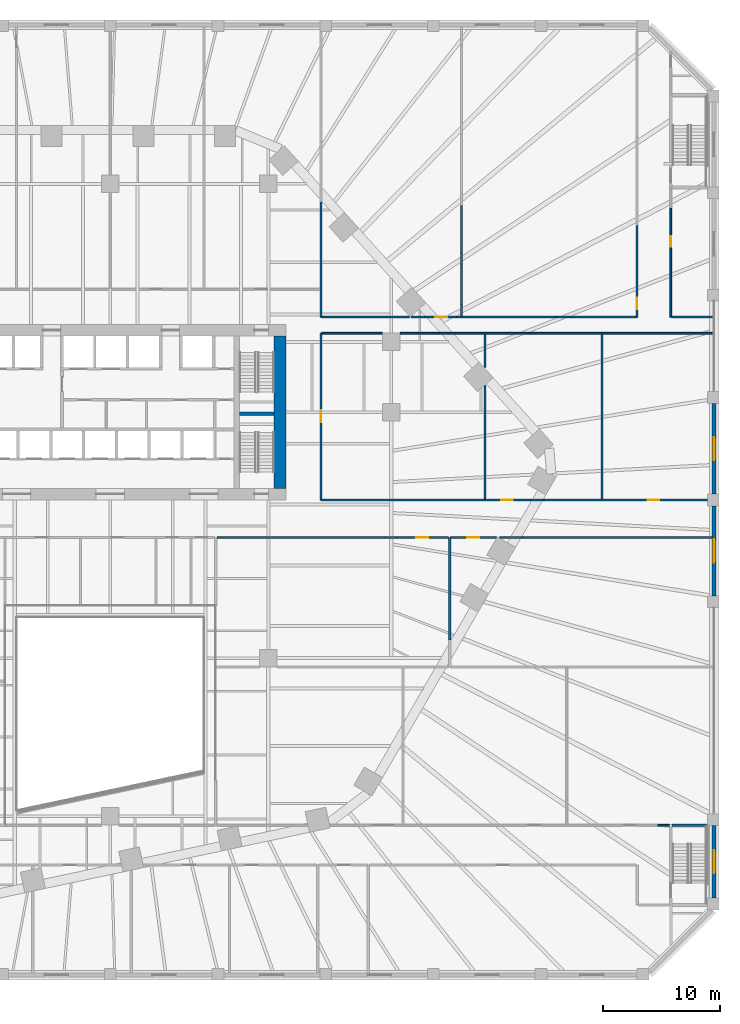
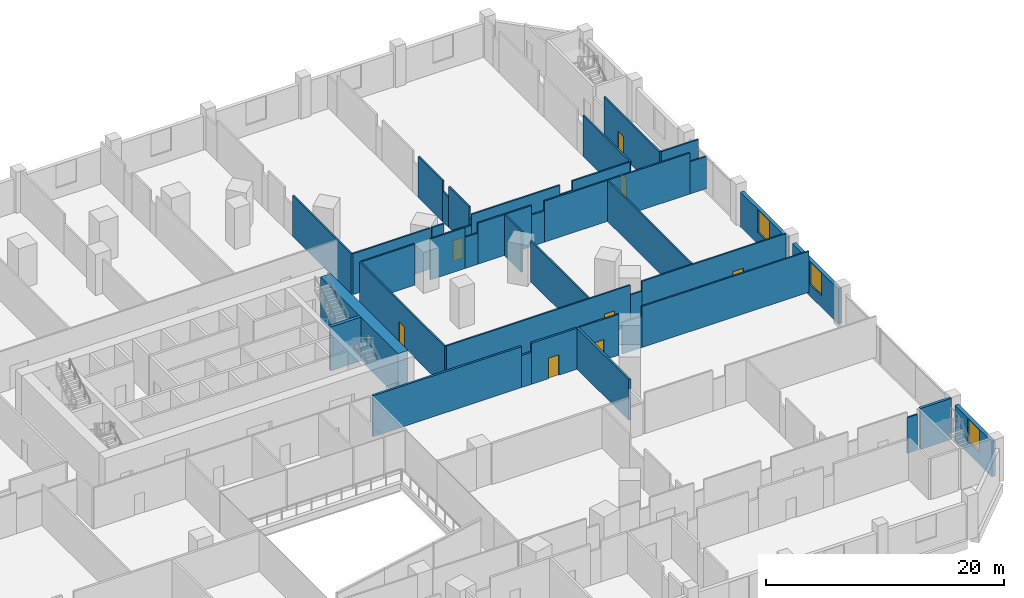
# One storey, part 20 of 29: 42 walls, 8 doors, 3 windows, 11 openings.
"""IFC4 building model written with IfcOpenShell, lengths in metres."""

from ifc_helpers import new_model, si_unit, direction, frame, frame_2d, origin, place, context, subcontext, project, spatial, rectangle, extrude, material, layer, layer_set, type_object, element, fill, save


model = new_model("IFC4")

# Units and contexts
model_context = context("Model", 3, precision=1e-05, world=origin(), true_north=direction((0.0, 1.0)))
body_context = subcontext(model_context, "Body", "Model", "MODEL_VIEW")
ifc_project = project(units=[si_unit("LENGTHUNIT", "METRE"), si_unit("AREAUNIT", "SQUARE_METRE"), si_unit("VOLUMEUNIT", "CUBIC_METRE"), si_unit("PLANEANGLEUNIT", "RADIAN"), si_unit("MASSUNIT", "GRAM", prefix="KILO")], contexts=[model_context])

# Site, building, storey
site_placement = place(None, origin())
site = spatial("IfcSite", under=ifc_project, at=site_placement, CompositionType="ELEMENT")
building_placement = place(site_placement, origin())
building = spatial("IfcBuilding", under=site, at=building_placement, Name="Isthmus Gate Tower", CompositionType="ELEMENT")
storey_placement = place(building_placement, frame((0.0, 0.0, 27.0)))
storey = spatial("IfcBuildingStorey", under=building, at=storey_placement, Name="L04", CompositionType="ELEMENT", Elevation=27.0)

# Walls
ifc_material_1 = material(Name="Concrete f'c 30 MPa", Category="concrete")
ifc_layer_1 = layer(ifc_material_1, 0.199951171875)
ifc_layer_set_1 = layer_set([ifc_layer_1], Name="Fire-rated block wall 200")
wall_type_1 = type_object("IfcWallType", Name="Fire-rated block wall 200", PredefinedType="PARTITIONING", material=ifc_layer_set_1)
wall_1_placement = place(storey_placement, frame((9.10009765625, -3.199951171875, 0.0), z_axis=(0.0, 0.0, 1.0), x_axis=(1.0, 0.0, 0.0)))
element("IfcWall", 1, at=wall_1_placement, inside=storey, type_object=wall_type_1, Name="Fire-rated wall", PredefinedType="PARTITIONING", context=body_context, shape_type="SweptSolid", body=[
    extrude(rectangle(XDim=14.39990234375, YDim=0.199951171875, at=frame_2d((7.199951171875, 0.0))), origin(), (0.0, 0.0, 1.0), 4.199951171875),
])
wall_2_placement = place(storey_placement, frame((23.5, -3.199951171875, 0.0), z_axis=(0.0, 0.0, 1.0), x_axis=(1.0, 0.0, 0.0)))
element("IfcWall", 2, at=wall_2_placement, inside=storey, type_object=wall_type_1, Name="Fire-rated wall", PredefinedType="PARTITIONING", context=body_context, shape_type="SweptSolid", body=[
    extrude(rectangle(XDim=1.0, YDim=0.199951171875, at=frame_2d((0.5, 0.0))), origin(), (0.0, 0.0, 1.0), 3.28564453125),
])

# Wall, opening, door
wall_3_placement = place(storey_placement, frame((24.5, -3.199951171875, 0.0), z_axis=(0.0, 0.0, 1.0), x_axis=(1.0, 0.0, 0.0)))
wall_3 = element("IfcWall", 3, at=wall_3_placement, inside=storey, type_object=wall_type_1, Name="Fire-rated wall", PredefinedType="PARTITIONING", context=body_context, shape_type="SweptSolid", body=[
    extrude(rectangle(XDim=4.39990234375, YDim=0.199951171875, at=frame_2d((2.199951171875, 0.0))), origin(), (0.0, 0.0, 1.0), 4.199951171875),
])
opening_1_placement = place(wall_3_placement, frame((1.64990234375, 0.0, 0.0)))
opening_1 = element("IfcOpeningElement", 4, at=opening_1_placement, cuts=wall_3, Name="Opening DP04-22", PredefinedType="OPENING", context=body_context, shape_type="SweptSolid", body=[
    extrude(rectangle(XDim=1.0, YDim=2.10009765625, at=frame_2d((0.5, 1.050048828125))), frame((0.0, 0.10986328125, 0.0), z_axis=(0.0, -1.0, 0.0), x_axis=(1.0, 0.0, 0.0)), (0.0, 0.0, 1.0), 0.219970703125),
])
ifc_material_2 = material(Name="Steel fire door with intumescent seals", Category="steel")
door_type_1 = type_object("IfcDoorType", Name="Fire door 1000 x 2100", OperationType="SINGLE_SWING_LEFT", PredefinedType="DOOR", material=ifc_material_2)
door_1_placement = place(opening_1_placement, origin())
door_1 = element("IfcDoor", 5, at=door_1_placement, inside=storey, type_object=door_type_1, Name="Door DP04-22", OperationType="SINGLE_SWING_LEFT", OverallHeight=2.10009765625, OverallWidth=1.0, PredefinedType="DOOR", context=body_context, shape_type="SweptSolid", body=[
    extrude(rectangle(XDim=1.0, YDim=2.10009765625, at=frame_2d((0.5, 1.050048828125))), frame((0.0, 0.02490234375, 0.0), z_axis=(0.0, -1.0, 0.0), x_axis=(1.0, 0.0, 0.0)), (0.0, 0.0, 1.0), 0.050048828125),
])
fill(opening_1, door_1)

# Wall
wall_4_placement = place(storey_placement, frame((29.0, -11.970458984375, 0.0), z_axis=(0.0, 0.0, 1.0), x_axis=(0.0, 1.0, 0.0)))
element("IfcWall", 6, at=wall_4_placement, inside=storey, type_object=wall_type_1, Name="Fire-rated wall", PredefinedType="PARTITIONING", context=body_context, shape_type="SweptSolid", body=[
    extrude(rectangle(XDim=8.7705078125, YDim=0.199951171875, at=frame_2d((4.38525390625, 0.0))), origin(), (0.0, 0.0, 1.0), 4.199951171875),
])

# Wall, opening, door
ifc_material_3 = material(Name="Fire-rated gypsum board on steel studs", Category="steel")
ifc_layer_2 = layer(ifc_material_3, 0.14990234375)
ifc_layer_set_2 = layer_set([ifc_layer_2], Name="Fire-rated partition 150 EI 60")
wall_type_2 = type_object("IfcWallType", Name="Fire-rated partition 150 EI 60", PredefinedType="PARTITIONING", material=ifc_layer_set_2)
wall_5_placement = place(storey_placement, frame((45.0, 15.62939453125, 0.0), z_axis=(0.0, 0.0, 1.0), x_axis=(0.0, 1.0, 0.0)))
wall_5 = element("IfcWall", 7, at=wall_5_placement, inside=storey, type_object=wall_type_2, Name="Fire-rated partition", PredefinedType="PARTITIONING", context=body_context, shape_type="SweptSolid", body=[
    extrude(rectangle(XDim=7.828857421875, YDim=0.14990234375, at=frame_2d((3.91455078125, 0.0))), origin(), (0.0, 0.0, 1.0), 4.199951171875),
])
opening_2_placement = place(wall_5_placement, frame((0.64990234375, 0.0, 0.0)))
opening_2 = element("IfcOpeningElement", 8, at=opening_2_placement, cuts=wall_5, Name="Opening DP04-36", PredefinedType="OPENING", context=body_context, shape_type="SweptSolid", body=[
    extrude(rectangle(XDim=1.0, YDim=2.10009765625, at=frame_2d((0.5, 1.050048828125))), frame((0.0, 0.0849609375, 0.0), z_axis=(0.0, -1.0, 0.0), x_axis=(1.0, 0.0, 0.0)), (0.0, 0.0, 1.0), 0.169921875),
])
door_2_placement = place(opening_2_placement, origin())
door_2 = element("IfcDoor", 9, at=door_2_placement, inside=storey, type_object=door_type_1, Name="Door DP04-36", OperationType="SINGLE_SWING_LEFT", OverallHeight=2.10009765625, OverallWidth=1.0, PredefinedType="DOOR", context=body_context, shape_type="SweptSolid", body=[
    extrude(rectangle(XDim=1.0, YDim=2.10009765625, at=frame_2d((0.5, 1.050048828125))), frame((0.0, 0.02490234375, 0.0), z_axis=(0.0, -1.0, 0.0), x_axis=(1.0, 0.0, 0.0)), (0.0, 0.0, 1.0), 0.050048828125),
])
fill(opening_2, door_2)

wall_6_placement = place(storey_placement, frame((47.875, 15.62939453125, 0.0), z_axis=(0.0, 0.0, 1.0), x_axis=(0.0, 1.0, 0.0)))
wall_6 = element("IfcWall", 10, at=wall_6_placement, inside=storey, type_object=wall_type_2, Name="Fire-rated partition", PredefinedType="PARTITIONING", context=body_context, shape_type="SweptSolid", body=[
    extrude(rectangle(XDim=9.32275390625, YDim=0.14990234375, at=frame_2d((4.661376953125, 0.0))), origin(), (0.0, 0.0, 1.0), 4.199951171875),
])
opening_3_placement = place(wall_6_placement, frame((6.020751953125, 0.0, 0.0)))
opening_3 = element("IfcOpeningElement", 11, at=opening_3_placement, cuts=wall_6, Name="Opening DP04-05", PredefinedType="OPENING", context=body_context, shape_type="SweptSolid", body=[
    extrude(rectangle(XDim=0.89990234375, YDim=2.10009765625, at=frame_2d((0.449951171875, 1.050048828125))), frame((0.0, 0.0849609375, 0.0), z_axis=(0.0, -1.0, 0.0), x_axis=(1.0, 0.0, 0.0)), (0.0, 0.0, 1.0), 0.169921875),
])
ifc_material_4 = material(Name="Steel fire door with intumescent seals", Category="steel")
door_type_2 = type_object("IfcDoorType", Name="Fire door 900 x 2100", OperationType="SINGLE_SWING_LEFT", PredefinedType="DOOR", material=ifc_material_4)
door_3_placement = place(opening_3_placement, origin())
door_3 = element("IfcDoor", 12, at=door_3_placement, inside=storey, type_object=door_type_2, Name="Door DP04-05", OperationType="SINGLE_SWING_LEFT", OverallHeight=2.10009765625, OverallWidth=0.89990234375, PredefinedType="DOOR", context=body_context, shape_type="SweptSolid", body=[
    extrude(rectangle(XDim=0.89990234375, YDim=2.10009765625, at=frame_2d((0.449951171875, 1.050048828125))), frame((0.0, 0.02490234375, 0.0), z_axis=(0.0, -1.0, 0.0), x_axis=(1.0, 0.0, 0.0)), (0.0, 0.0, 1.0), 0.050048828125),
])
fill(opening_3, door_3)

# Wall, opening, window
ifc_material_5 = material(Name="Precast concrete C40/50, limestone-faced", Category="masonry")
ifc_layer_3 = layer(ifc_material_5, 0.35009765625)
ifc_layer_set_3 = layer_set([ifc_layer_3], Name="PODIUM CLADDING WALL 350")
wall_type_3 = type_object("IfcWallType", Name="PODIUM CLADDING WALL 350", PredefinedType="SOLIDWALL", material=ifc_layer_set_3)
wall_7_placement = place(storey_placement, frame((51.574951171875, -34.0, -0.300048828125), z_axis=(0.0, 0.0, 1.0), x_axis=(0.0, 1.0, 0.0)))
wall_7 = element("IfcWall", 13, at=wall_7_placement, inside=storey, type_object=wall_type_3, Name="PODIUM WALL", PredefinedType="SOLIDWALL", context=body_context, shape_type="SweptSolid", body=[
    extrude(rectangle(XDim=6.199951171875, YDim=0.35009765625, at=frame_2d((3.10009765625, 0.0))), origin(), (0.0, 0.0, 1.0), 3.60009765625),
])
opening_4_placement = place(wall_7_placement, frame((2.10009765625, 0.0, 1.199951171875)))
opening_4 = element("IfcOpeningElement", 14, at=opening_4_placement, cuts=wall_7, Name="Opening W072", PredefinedType="OPENING", context=body_context, shape_type="SweptSolid", body=[
    extrude(rectangle(XDim=2.0, YDim=2.35009765625, at=frame_2d((1.0, 1.175048828125))), frame((0.0, 0.18505859375, 0.0), z_axis=(0.0, -1.0, 0.0), x_axis=(1.0, 0.0, 0.0)), (0.0, 0.0, 1.0), 0.3701171875),
])
ifc_material_6 = material(Name="Aluminium, pale champagne anodised, laminated glass", Category="aluminium")
window_type = type_object("IfcWindowType", Name="PODIUM SLOT WINDOW 2000 X 2350", PartitioningType="SINGLE_PANEL", PredefinedType="WINDOW", material=ifc_material_6)
window_1_placement = place(opening_4_placement, origin())
window_1 = element("IfcWindow", 15, at=window_1_placement, inside=storey, type_object=window_type, Name="SLOT WINDOW", OverallHeight=2.35009765625, OverallWidth=2.0, PartitioningType="SINGLE_PANEL", PredefinedType="WINDOW", context=body_context, shape_type="SweptSolid", body=[
    extrude(rectangle(XDim=2.0, YDim=2.35009765625, at=frame_2d((1.0, 1.175048828125))), frame((0.0, 0.030029296875, 0.0), z_axis=(0.0, -1.0, 0.0), x_axis=(1.0, 0.0, 0.0)), (0.0, 0.0, 1.0), 0.06005859375),
])
fill(opening_4, window_1)

wall_8_placement = place(storey_placement, frame((51.574951171875, -8.199951171875, -0.300048828125), z_axis=(0.0, 0.0, 1.0), x_axis=(0.0, 1.0, 0.0)))
wall_8 = element("IfcWall", 16, at=wall_8_placement, inside=storey, type_object=wall_type_3, Name="PODIUM WALL", PredefinedType="SOLIDWALL", context=body_context, shape_type="SweptSolid", body=[
    extrude(rectangle(XDim=7.699951171875, YDim=0.35009765625, at=frame_2d((3.85009765625, 0.0))), origin(), (0.0, 0.0, 1.0), 3.60009765625),
])
opening_5_placement = place(wall_8_placement, frame((2.85009765625, 0.0, 1.199951171875)))
opening_5 = element("IfcOpeningElement", 17, at=opening_5_placement, cuts=wall_8, Name="Opening W073", PredefinedType="OPENING", context=body_context, shape_type="SweptSolid", body=[
    extrude(rectangle(XDim=2.0, YDim=2.35009765625, at=frame_2d((1.0, 1.175048828125))), frame((0.0, 0.18505859375, 0.0), z_axis=(0.0, -1.0, 0.0), x_axis=(1.0, 0.0, 0.0)), (0.0, 0.0, 1.0), 0.3701171875),
])
window_2_placement = place(opening_5_placement, origin())
window_2 = element("IfcWindow", 18, at=window_2_placement, inside=storey, type_object=window_type, Name="SLOT WINDOW", OverallHeight=2.35009765625, OverallWidth=2.0, PartitioningType="SINGLE_PANEL", PredefinedType="WINDOW", context=body_context, shape_type="SweptSolid", body=[
    extrude(rectangle(XDim=2.0, YDim=2.35009765625, at=frame_2d((1.0, 1.175048828125))), frame((0.0, 0.030029296875, 0.0), z_axis=(0.0, -1.0, 0.0), x_axis=(1.0, 0.0, 0.0)), (0.0, 0.0, 1.0), 0.06005859375),
])
fill(opening_5, window_2)

wall_9_placement = place(storey_placement, frame((51.574951171875, 0.5, -0.300048828125), z_axis=(0.0, 0.0, 1.0), x_axis=(0.0, 1.0, 0.0)))
wall_9 = element("IfcWall", 19, at=wall_9_placement, inside=storey, type_object=wall_type_3, Name="PODIUM WALL", PredefinedType="SOLIDWALL", context=body_context, shape_type="SweptSolid", body=[
    extrude(rectangle(XDim=7.75, YDim=0.35009765625, at=frame_2d((3.875, 0.0))), origin(), (0.0, 0.0, 1.0), 3.60009765625),
])
opening_6_placement = place(wall_9_placement, frame((2.875, 0.0, 1.199951171875)))
opening_6 = element("IfcOpeningElement", 20, at=opening_6_placement, cuts=wall_9, Name="Opening W074", PredefinedType="OPENING", context=body_context, shape_type="SweptSolid", body=[
    extrude(rectangle(XDim=2.0, YDim=2.35009765625, at=frame_2d((1.0, 1.175048828125))), frame((0.0, 0.18505859375, 0.0), z_axis=(0.0, -1.0, 0.0), x_axis=(1.0, 0.0, 0.0)), (0.0, 0.0, 1.0), 0.3701171875),
])
window_3_placement = place(opening_6_placement, origin())
window_3 = element("IfcWindow", 21, at=window_3_placement, inside=storey, type_object=window_type, Name="SLOT WINDOW", OverallHeight=2.35009765625, OverallWidth=2.0, PartitioningType="SINGLE_PANEL", PredefinedType="WINDOW", context=body_context, shape_type="SweptSolid", body=[
    extrude(rectangle(XDim=2.0, YDim=2.35009765625, at=frame_2d((1.0, 1.175048828125))), frame((0.0, 0.030029296875, 0.0), z_axis=(0.0, -1.0, 0.0), x_axis=(1.0, 0.0, 0.0)), (0.0, 0.0, 1.0), 0.06005859375),
])
fill(opening_6, window_3)

# Wall
ifc_material_7 = material(Name="Gypsum board on cold-formed steel studs", Category="steel")
ifc_layer_4 = layer(ifc_material_7, 0.14990234375)
ifc_layer_set_4 = layer_set([ifc_layer_4])
wall_type_4 = type_object("IfcWallType", Name="Partition 150 gypsum board on steel studs", PredefinedType="PARTITIONING", material=ifc_layer_set_4)
wall_10_placement = place(storey_placement, frame((46.75, -27.779052734375, 0.0), z_axis=(0.0, 0.0, 1.0), x_axis=(1.0, 0.0, 0.0)))
element("IfcWall", 22, at=wall_10_placement, inside=storey, type_object=wall_type_4, Name="Partition", PredefinedType="PARTITIONING", context=body_context, shape_type="SweptSolid", body=[
    extrude(rectangle(XDim=1.0, YDim=0.14990234375, at=frame_2d((0.5, 0.0))), origin(), (0.0, 0.0, 1.0), 3.66650390625),
])

# Wall, opening, door
wall_11_placement = place(storey_placement, frame((29.10009765625, -3.199951171875, 0.0), z_axis=(0.0, 0.0, 1.0), x_axis=(1.0, 0.0, 0.0)))
wall_11 = element("IfcWall", 23, at=wall_11_placement, inside=storey, type_object=wall_type_4, Name="Partition", PredefinedType="PARTITIONING", context=body_context, shape_type="SweptSolid", body=[
    extrude(rectangle(XDim=3.881103515625, YDim=0.14990234375, at=frame_2d((1.9404296875, 0.0))), origin(), (0.0, 0.0, 1.0), 4.199951171875),
])
opening_7_placement = place(wall_11_placement, frame((1.39990234375, 0.0, 0.0)))
opening_7 = element("IfcOpeningElement", 24, at=opening_7_placement, cuts=wall_11, Name="Opening DP04-23", PredefinedType="OPENING", context=body_context, shape_type="SweptSolid", body=[
    extrude(rectangle(XDim=1.0, YDim=2.10009765625, at=frame_2d((0.5, 1.050048828125))), frame((0.0, 0.0849609375, 0.0), z_axis=(0.0, -1.0, 0.0), x_axis=(1.0, 0.0, 0.0)), (0.0, 0.0, 1.0), 0.169921875),
])
ifc_material_8 = material(Name="Hollow metal frame with solid-core timber leaf", Category="wood")
door_type_3 = type_object("IfcDoorType", Name="Single swing door 1000 x 2100", OperationType="SINGLE_SWING_LEFT", PredefinedType="DOOR", material=ifc_material_8)
door_4_placement = place(opening_7_placement, origin())
door_4 = element("IfcDoor", 25, at=door_4_placement, inside=storey, type_object=door_type_3, Name="Door DP04-23", OperationType="SINGLE_SWING_LEFT", OverallHeight=2.10009765625, OverallWidth=1.0, PredefinedType="DOOR", context=body_context, shape_type="SweptSolid", body=[
    extrude(rectangle(XDim=1.0, YDim=2.10009765625, at=frame_2d((0.5, 1.050048828125))), frame((0.0, 0.02490234375, 0.0), z_axis=(0.0, -1.0, 0.0), x_axis=(1.0, 0.0, 0.0)), (0.0, 0.0, 1.0), 0.050048828125),
])
fill(opening_7, door_4)

# Walls
wall_12_placement = place(storey_placement, frame((33.285888671875, -3.199951171875, 0.0), z_axis=(0.0, 0.0, 1.0), x_axis=(1.0, 0.0, 0.0)))
element("IfcWall", 26, at=wall_12_placement, inside=storey, type_object=wall_type_4, Name="Partition", PredefinedType="PARTITIONING", context=body_context, shape_type="SweptSolid", body=[
    extrude(rectangle(XDim=1.903564453125, YDim=0.14990234375, at=frame_2d((0.95166015625, 0.0))), origin(), (0.0, 0.0, 1.0), 3.199951171875),
])
wall_13_placement = place(storey_placement, frame((35.189453125, -3.199951171875, 0.0), z_axis=(0.0, 0.0, 1.0), x_axis=(1.0, 0.0, 0.0)))
element("IfcWall", 27, at=wall_13_placement, inside=storey, type_object=wall_type_4, Name="Partition", PredefinedType="PARTITIONING", context=body_context, shape_type="SweptSolid", body=[
    extrude(rectangle(XDim=16.21044921875, YDim=0.14990234375, at=frame_2d((8.105224609375, 0.0))), origin(), (0.0, 0.0, 1.0), 4.199951171875),
])

# Wall, opening, door
wall_14_placement = place(storey_placement, frame((18.074951171875, 0.0, 0.0), z_axis=(0.0, 0.0, 1.0), x_axis=(1.0, 0.0, 0.0)))
wall_14 = element("IfcWall", 28, at=wall_14_placement, inside=storey, type_object=wall_type_4, Name="Partition", PredefinedType="PARTITIONING", context=body_context, shape_type="SweptSolid", body=[
    extrude(rectangle(XDim=17.865234375, YDim=0.14990234375, at=frame_2d((8.9326171875, 0.0))), origin(), (0.0, 0.0, 1.0), 4.199951171875),
])
opening_8_placement = place(wall_14_placement, frame((15.324951171875, 0.0, 0.0)))
opening_8 = element("IfcOpeningElement", 29, at=opening_8_placement, cuts=wall_14, Name="Opening DP04-41", PredefinedType="OPENING", context=body_context, shape_type="SweptSolid", body=[
    extrude(rectangle(XDim=1.0, YDim=2.10009765625, at=frame_2d((0.5, 1.050048828125))), frame((0.0, 0.0849609375, 0.0), z_axis=(0.0, -1.0, 0.0), x_axis=(1.0, 0.0, 0.0)), (0.0, 0.0, 1.0), 0.169921875),
])
door_5_placement = place(opening_8_placement, origin())
door_5 = element("IfcDoor", 30, at=door_5_placement, inside=storey, type_object=door_type_3, Name="Door DP04-41", OperationType="SINGLE_SWING_LEFT", OverallHeight=2.10009765625, OverallWidth=1.0, PredefinedType="DOOR", context=body_context, shape_type="SweptSolid", body=[
    extrude(rectangle(XDim=1.0, YDim=2.10009765625, at=frame_2d((0.5, 1.050048828125))), frame((0.0, 0.02490234375, 0.0), z_axis=(0.0, -1.0, 0.0), x_axis=(1.0, 0.0, 0.0)), (0.0, 0.0, 1.0), 0.050048828125),
])
fill(opening_8, door_5)

# Wall
wall_15_placement = place(storey_placement, frame((35.940185546875, 0.0, 0.0), z_axis=(0.0, 0.0, 1.0), x_axis=(1.0, 0.0, 0.0)))
element("IfcWall", 31, at=wall_15_placement, inside=storey, type_object=wall_type_4, Name="Partition", PredefinedType="PARTITIONING", context=body_context, shape_type="SweptSolid", body=[
    extrude(rectangle(XDim=1.096923828125, YDim=0.14990234375, at=frame_2d((0.54833984375, 0.0))), origin(), (0.0, 0.0, 1.0), 3.199951171875),
])

# Wall, opening, door
wall_16_placement = place(storey_placement, frame((37.037109375, 0.0, 0.0), z_axis=(0.0, 0.0, 1.0), x_axis=(1.0, 0.0, 0.0)))
wall_16 = element("IfcWall", 32, at=wall_16_placement, inside=storey, type_object=wall_type_4, Name="Partition", PredefinedType="PARTITIONING", context=body_context, shape_type="SweptSolid", body=[
    extrude(rectangle(XDim=13.962890625, YDim=0.14990234375, at=frame_2d((6.9814453125, 0.0))), origin(), (0.0, 0.0, 1.0), 4.199951171875),
])
opening_9_placement = place(wall_16_placement, frame((8.863037109375, 0.0, 0.0)))
opening_9 = element("IfcOpeningElement", 33, at=opening_9_placement, cuts=wall_16, Name="Opening DP04-42", PredefinedType="OPENING", context=body_context, shape_type="SweptSolid", body=[
    extrude(rectangle(XDim=1.0, YDim=2.10009765625, at=frame_2d((0.5, 1.050048828125))), frame((0.0, 0.0849609375, 0.0), z_axis=(0.0, -1.0, 0.0), x_axis=(1.0, 0.0, 0.0)), (0.0, 0.0, 1.0), 0.169921875),
])
door_6_placement = place(opening_9_placement, origin())
door_6 = element("IfcDoor", 34, at=door_6_placement, inside=storey, type_object=door_type_3, Name="Door DP04-42", OperationType="SINGLE_SWING_LEFT", OverallHeight=2.10009765625, OverallWidth=1.0, PredefinedType="DOOR", context=body_context, shape_type="SweptSolid", body=[
    extrude(rectangle(XDim=1.0, YDim=2.10009765625, at=frame_2d((0.5, 1.050048828125))), frame((0.0, 0.02490234375, 0.0), z_axis=(0.0, -1.0, 0.0), x_axis=(1.0, 0.0, 0.0)), (0.0, 0.0, 1.0), 0.050048828125),
])
fill(opening_9, door_6)

# Walls
wall_17_placement = place(storey_placement, frame((18.074951171875, 14.25, 0.0), z_axis=(0.0, 0.0, 1.0), x_axis=(1.0, 0.0, 0.0)))
element("IfcWall", 35, at=wall_17_placement, inside=storey, type_object=wall_type_4, Name="Partition", PredefinedType="PARTITIONING", context=body_context, shape_type="SweptSolid", body=[
    extrude(rectangle(XDim=5.175048828125, YDim=0.14990234375, at=frame_2d((2.58740234375, 0.0))), origin(), (0.0, 0.0, 1.0), 4.199951171875),
])
wall_18_placement = place(storey_placement, frame((24.75, 14.25, 0.0), z_axis=(0.0, 0.0, 1.0), x_axis=(1.0, 0.0, 0.0)))
element("IfcWall", 36, at=wall_18_placement, inside=storey, type_object=wall_type_4, Name="Partition", PredefinedType="PARTITIONING", context=body_context, shape_type="SweptSolid", body=[
    extrude(rectangle(XDim=3.361083984375, YDim=0.14990234375, at=frame_2d((1.6806640625, 0.0))), origin(), (0.0, 0.0, 1.0), 4.199951171875),
])
wall_19_placement = place(storey_placement, frame((28.111083984375, 14.25, 0.0), z_axis=(0.0, 0.0, 1.0), x_axis=(1.0, 0.0, 0.0)))
element("IfcWall", 37, at=wall_19_placement, inside=storey, type_object=wall_type_4, Name="Partition", PredefinedType="PARTITIONING", context=body_context, shape_type="SweptSolid", body=[
    extrude(rectangle(XDim=1.2783203125, YDim=0.14990234375, at=frame_2d((0.63916015625, 0.0))), origin(), (0.0, 0.0, 1.0), 3.199951171875),
])
wall_20_placement = place(storey_placement, frame((29.389404296875, 14.25, 0.0), z_axis=(0.0, 0.0, 1.0), x_axis=(1.0, 0.0, 0.0)))
element("IfcWall", 38, at=wall_20_placement, inside=storey, type_object=wall_type_4, Name="Partition", PredefinedType="PARTITIONING", context=body_context, shape_type="SweptSolid", body=[
    extrude(rectangle(XDim=5.19970703125, YDim=0.14990234375, at=frame_2d((2.599853515625, 0.0))), origin(), (0.0, 0.0, 1.0), 4.199951171875),
])
wall_21_placement = place(storey_placement, frame((34.589111328125, 14.25, 0.0), z_axis=(0.0, 0.0, 1.0), x_axis=(1.0, 0.0, 0.0)))
element("IfcWall", 39, at=wall_21_placement, inside=storey, type_object=wall_type_4, Name="Partition", PredefinedType="PARTITIONING", context=body_context, shape_type="SweptSolid", body=[
    extrude(rectangle(XDim=1.231201171875, YDim=0.14990234375, at=frame_2d((0.61572265625, 0.0))), origin(), (0.0, 0.0, 1.0), 3.218994140625),
])
wall_22_placement = place(storey_placement, frame((35.8203125, 14.25, 0.0), z_axis=(0.0, 0.0, 1.0), x_axis=(1.0, 0.0, 0.0)))
element("IfcWall", 40, at=wall_22_placement, inside=storey, type_object=wall_type_4, Name="Partition", PredefinedType="PARTITIONING", context=body_context, shape_type="SweptSolid", body=[
    extrude(rectangle(XDim=14.095703125, YDim=0.14990234375, at=frame_2d((7.0478515625, 0.0))), origin(), (0.0, 0.0, 1.0), 4.199951171875),
])
wall_23_placement = place(storey_placement, frame((49.916015625, 14.25, 0.0), z_axis=(0.0, 0.0, 1.0), x_axis=(1.0, 0.0, 0.0)))
element("IfcWall", 41, at=wall_23_placement, inside=storey, type_object=wall_type_4, Name="Partition", PredefinedType="PARTITIONING", context=body_context, shape_type="SweptSolid", body=[
    extrude(rectangle(XDim=1.654052734375, YDim=0.14990234375, at=frame_2d((0.8271484375, 0.0))), origin(), (0.0, 0.0, 1.0), 3.29833984375),
])
wall_24_placement = place(storey_placement, frame((18.074951171875, 15.62890625, 0.0), z_axis=(0.0, 0.0, 1.0), x_axis=(1.0, 0.0, 0.0)))
element("IfcWall", 42, at=wall_24_placement, inside=storey, type_object=wall_type_4, Name="Partition", PredefinedType="PARTITIONING", context=body_context, shape_type="SweptSolid", body=[
    extrude(rectangle(XDim=7.482177734375, YDim=0.14990234375, at=frame_2d((3.7412109375, 0.0))), origin(), (0.0, 0.0, 1.0), 4.199951171875),
])
wall_25_placement = place(storey_placement, frame((25.70751953125, 15.62890625, 0.0), z_axis=(0.0, 0.0, 1.0), x_axis=(1.0, 0.0, 0.0)))
element("IfcWall", 43, at=wall_25_placement, inside=storey, type_object=wall_type_4, Name="Partition", PredefinedType="PARTITIONING", context=body_context, shape_type="SweptSolid", body=[
    extrude(rectangle(XDim=1.161865234375, YDim=0.14990234375, at=frame_2d((0.5810546875, 0.0))), origin(), (0.0, 0.0, 1.0), 4.199951171875),
])

# Wall, opening, door
wall_26_placement = place(storey_placement, frame((26.869384765625, 15.62890625, 0.0), z_axis=(0.0, 0.0, 1.0), x_axis=(1.0, 0.0, 0.0)))
wall_26 = element("IfcWall", 44, at=wall_26_placement, inside=storey, type_object=wall_type_4, Name="Partition", PredefinedType="PARTITIONING", context=body_context, shape_type="SweptSolid", body=[
    extrude(rectangle(XDim=2.697998046875, YDim=0.14990234375, at=frame_2d((1.34912109375, 0.0))), origin(), (0.0, 0.0, 1.0), 3.111083984375),
])
opening_10_placement = place(wall_26_placement, frame((0.89990234375, 0.0, 0.0)))
opening_10 = element("IfcOpeningElement", 45, at=opening_10_placement, cuts=wall_26, Name="Opening DP04-35", PredefinedType="OPENING", context=body_context, shape_type="SweptSolid", body=[
    extrude(rectangle(XDim=1.0, YDim=2.10009765625, at=frame_2d((0.5, 1.050048828125))), frame((0.0, 0.0849609375, 0.0), z_axis=(0.0, -1.0, 0.0), x_axis=(1.0, 0.0, 0.0)), (0.0, 0.0, 1.0), 0.169921875),
])
door_7_placement = place(opening_10_placement, origin())
door_7 = element("IfcDoor", 46, at=door_7_placement, inside=storey, type_object=door_type_3, Name="Door DP04-35", OperationType="SINGLE_SWING_LEFT", OverallHeight=2.10009765625, OverallWidth=1.0, PredefinedType="DOOR", context=body_context, shape_type="SweptSolid", body=[
    extrude(rectangle(XDim=1.0, YDim=2.10009765625, at=frame_2d((0.5, 1.050048828125))), frame((0.0, 0.02490234375, 0.0), z_axis=(0.0, -1.0, 0.0), x_axis=(1.0, 0.0, 0.0)), (0.0, 0.0, 1.0), 0.050048828125),
])
fill(opening_10, door_7)

# Walls
wall_27_placement = place(storey_placement, frame((29.5673828125, 15.62890625, 0.0), z_axis=(0.0, 0.0, 1.0), x_axis=(1.0, 0.0, 0.0)))
element("IfcWall", 47, at=wall_27_placement, inside=storey, type_object=wall_type_4, Name="Partition", PredefinedType="PARTITIONING", context=body_context, shape_type="SweptSolid", body=[
    extrude(rectangle(XDim=8.54833984375, YDim=0.14990234375, at=frame_2d((4.274169921875, 0.0))), origin(), (0.0, 0.0, 1.0), 4.199951171875),
])
wall_28_placement = place(storey_placement, frame((38.11572265625, 15.62890625, 0.0), z_axis=(0.0, 0.0, 1.0), x_axis=(1.0, 0.0, 0.0)))
element("IfcWall", 48, at=wall_28_placement, inside=storey, type_object=wall_type_4, Name="Partition", PredefinedType="PARTITIONING", context=body_context, shape_type="SweptSolid", body=[
    extrude(rectangle(XDim=1.2314453125, YDim=0.14990234375, at=frame_2d((0.61572265625, 0.0))), origin(), (0.0, 0.0, 1.0), 3.218994140625),
])
wall_29_placement = place(storey_placement, frame((39.34716796875, 15.62890625, 0.0), z_axis=(0.0, 0.0, 1.0), x_axis=(1.0, 0.0, 0.0)))
element("IfcWall", 49, at=wall_29_placement, inside=storey, type_object=wall_type_4, Name="Partition", PredefinedType="PARTITIONING", context=body_context, shape_type="SweptSolid", body=[
    extrude(rectangle(XDim=5.577880859375, YDim=0.14990234375, at=frame_2d((2.7890625, 0.0))), origin(), (0.0, 0.0, 1.0), 4.199951171875),
])
wall_30_placement = place(storey_placement, frame((47.949951171875, 15.62890625, 0.0), z_axis=(0.0, 0.0, 1.0), x_axis=(1.0, 0.0, 0.0)))
element("IfcWall", 50, at=wall_30_placement, inside=storey, type_object=wall_type_4, Name="Partition", PredefinedType="PARTITIONING", context=body_context, shape_type="SweptSolid", body=[
    extrude(rectangle(XDim=3.6201171875, YDim=0.14990234375, at=frame_2d((1.81005859375, 0.0))), origin(), (0.0, 0.0, 1.0), 4.199951171875),
])

# Wall, opening, door
wall_31_placement = place(storey_placement, frame((18.0, 0.0, 0.0), z_axis=(0.0, 0.0, 1.0), x_axis=(0.0, 1.0, 0.0)))
wall_31 = element("IfcWall", 51, at=wall_31_placement, inside=storey, type_object=wall_type_4, Name="Partition", PredefinedType="PARTITIONING", context=body_context, shape_type="SweptSolid", body=[
    extrude(rectangle(XDim=14.25, YDim=0.14990234375, at=frame_2d((7.125, 0.0))), origin(), (0.0, 0.0, 1.0), 4.199951171875),
])
opening_11_placement = place(wall_31_placement, frame((6.64990234375, 0.0, 0.0)))
opening_11 = element("IfcOpeningElement", 52, at=opening_11_placement, cuts=wall_31, Name="Opening DP04-40", PredefinedType="OPENING", context=body_context, shape_type="SweptSolid", body=[
    extrude(rectangle(XDim=1.0, YDim=2.10009765625, at=frame_2d((0.5, 1.050048828125))), frame((0.0, 0.0849609375, 0.0), z_axis=(0.0, -1.0, 0.0), x_axis=(1.0, 0.0, 0.0)), (0.0, 0.0, 1.0), 0.169921875),
])
door_8_placement = place(opening_11_placement, origin())
door_8 = element("IfcDoor", 53, at=door_8_placement, inside=storey, type_object=door_type_3, Name="Door DP04-40", OperationType="SINGLE_SWING_LEFT", OverallHeight=2.10009765625, OverallWidth=1.0, PredefinedType="DOOR", context=body_context, shape_type="SweptSolid", body=[
    extrude(rectangle(XDim=1.0, YDim=2.10009765625, at=frame_2d((0.5, 1.050048828125))), frame((0.0, 0.02490234375, 0.0), z_axis=(0.0, -1.0, 0.0), x_axis=(1.0, 0.0, 0.0)), (0.0, 0.0, 1.0), 0.050048828125),
])
fill(opening_11, door_8)

# Walls
wall_32_placement = place(storey_placement, frame((18.0, 15.62939453125, 0.0), z_axis=(0.0, 0.0, 1.0), x_axis=(0.0, 1.0, 0.0)))
element("IfcWall", 54, at=wall_32_placement, inside=storey, type_object=wall_type_4, Name="Partition", PredefinedType="PARTITIONING", context=body_context, shape_type="SweptSolid", body=[
    extrude(rectangle(XDim=9.85009765625, YDim=0.14990234375, at=frame_2d((4.925048828125, 0.0))), origin(), (0.0, 0.0, 1.0), 4.199951171875),
])
wall_33_placement = place(storey_placement, frame((30.0, 15.7041015625, 0.0), z_axis=(0.0, 0.0, 1.0), x_axis=(0.0, 1.0, 0.0)))
element("IfcWall", 55, at=wall_33_placement, inside=storey, type_object=wall_type_4, Name="Partition", PredefinedType="PARTITIONING", context=body_context, shape_type="SweptSolid", body=[
    extrude(rectangle(XDim=0.959716796875, YDim=0.14990234375, at=frame_2d((0.47998046875, 0.0))), origin(), (0.0, 0.0, 1.0), 3.111083984375),
])
wall_34_placement = place(storey_placement, frame((30.0, 16.663818359375, 0.0), z_axis=(0.0, 0.0, 1.0), x_axis=(0.0, 1.0, 0.0)))
element("IfcWall", 56, at=wall_34_placement, inside=storey, type_object=wall_type_4, Name="Partition", PredefinedType="PARTITIONING", context=body_context, shape_type="SweptSolid", body=[
    extrude(rectangle(XDim=3.413330078125, YDim=0.14990234375, at=frame_2d((1.70654296875, 0.0))), origin(), (0.0, 0.0, 1.0), 4.199951171875),
])
wall_35_placement = place(storey_placement, frame((30.0, 20.0771484375, 0.0), z_axis=(0.0, 0.0, 1.0), x_axis=(0.0, 1.0, 0.0)))
element("IfcWall", 57, at=wall_35_placement, inside=storey, type_object=wall_type_4, Name="Partition", PredefinedType="PARTITIONING", context=body_context, shape_type="SweptSolid", body=[
    extrude(rectangle(XDim=1.0, YDim=0.14990234375, at=frame_2d((0.5, 0.0))), origin(), (0.0, 0.0, 1.0), 3.111083984375),
])
wall_36_placement = place(storey_placement, frame((30.0, 21.0771484375, 0.0), z_axis=(0.0, 0.0, 1.0), x_axis=(0.0, 1.0, 0.0)))
element("IfcWall", 58, at=wall_36_placement, inside=storey, type_object=wall_type_4, Name="Partition", PredefinedType="PARTITIONING", context=body_context, shape_type="SweptSolid", body=[
    extrude(rectangle(XDim=4.0869140625, YDim=0.14990234375, at=frame_2d((2.04345703125, 0.0))), origin(), (0.0, 0.0, 1.0), 4.199951171875),
])
wall_37_placement = place(storey_placement, frame((32.0, 0.074951171875, 0.0), z_axis=(0.0, 0.0, 1.0), x_axis=(0.0, 1.0, 0.0)))
element("IfcWall", 59, at=wall_37_placement, inside=storey, type_object=wall_type_4, Name="Partition", PredefinedType="PARTITIONING", context=body_context, shape_type="SweptSolid", body=[
    extrude(rectangle(XDim=9.669189453125, YDim=0.14990234375, at=frame_2d((4.83447265625, 0.0))), origin(), (0.0, 0.0, 1.0), 4.199951171875),
])
wall_38_placement = place(storey_placement, frame((32.0, 11.322021484375, 0.0), z_axis=(0.0, 0.0, 1.0), x_axis=(0.0, 1.0, 0.0)))
element("IfcWall", 60, at=wall_38_placement, inside=storey, type_object=wall_type_4, Name="Partition", PredefinedType="PARTITIONING", context=body_context, shape_type="SweptSolid", body=[
    extrude(rectangle(XDim=2.85302734375, YDim=0.14990234375, at=frame_2d((1.426513671875, 0.0))), origin(), (0.0, 0.0, 1.0), 4.199951171875),
])
wall_39_placement = place(storey_placement, frame((42.0, 0.074951171875, 0.0), z_axis=(0.0, 0.0, 1.0), x_axis=(0.0, 1.0, 0.0)))
element("IfcWall", 61, at=wall_39_placement, inside=storey, type_object=wall_type_4, Name="Partition", PredefinedType="PARTITIONING", context=body_context, shape_type="SweptSolid", body=[
    extrude(rectangle(XDim=14.10009765625, YDim=0.14990234375, at=frame_2d((7.050048828125, 0.0))), origin(), (0.0, 0.0, 1.0), 4.199951171875),
])
ifc_material_9 = material(Name="Concrete f'c 70 MPa", Category="concrete")
ifc_layer_5 = layer(ifc_material_9, 1.0)
ifc_layer_set_5 = layer_set([ifc_layer_5], Name="RC CORE WALL 1000 F'C 70")
wall_type_5 = type_object("IfcWallType", Name="RC CORE WALL 1000 F'C 70", PredefinedType="SOLIDWALL", material=ifc_layer_set_5)
wall_40_placement = place(storey_placement, frame((14.5, 1.0, -0.300048828125), z_axis=(0.0, 0.0, 1.0), x_axis=(0.0, 1.0, 0.0)))
element("IfcWall", 62, at=wall_40_placement, inside=storey, type_object=wall_type_5, Name="str-corewall-L04-E", PredefinedType="SOLIDWALL", context=body_context, shape_type="SweptSolid", body=[
    extrude(rectangle(XDim=13.0, YDim=1.0, at=frame_2d((6.5, 0.0))), origin(), (0.0, 0.0, 1.0), 4.5),
])
ifc_material_10 = material(Name="Concrete f'c 40 MPa", Category="concrete")
ifc_layer_6 = layer(ifc_material_10, 0.300048828125)
ifc_layer_set_6 = layer_set([ifc_layer_6], Name="STAIR ENCLOSURE WALL 300 180 MIN")
wall_type_6 = type_object("IfcWallType", Name="STAIR ENCLOSURE WALL 300 180 MIN", PredefinedType="SOLIDWALL", material=ifc_layer_set_6)
wall_41_placement = place(storey_placement, frame((11.050048828125, 7.35009765625, -0.300048828125), z_axis=(0.0, 0.0, 1.0), x_axis=(1.0, 0.0, 0.0)))
element("IfcWall", 63, at=wall_41_placement, inside=storey, type_object=wall_type_6, Name="L04 STAIR ENCLOSURE WALL 300 180 MIN", PredefinedType="SOLIDWALL", context=body_context, shape_type="SweptSolid", body=[
    extrude(rectangle(XDim=2.949951171875, YDim=0.300048828125, at=frame_2d((1.47509765625, 0.0))), origin(), (0.0, 0.0, 1.0), 4.5),
])
ifc_material_11 = material(Name="Concrete f'c 40 MPa", Category="concrete")
ifc_layer_7 = layer(ifc_material_11, 0.25)
ifc_layer_set_7 = layer_set([ifc_layer_7])
wall_type_7 = type_object("IfcWallType", Name="Stair shaft wall 250 reinforced concrete", PredefinedType="SHEAR", material=ifc_layer_set_7)
wall_42_placement = place(storey_placement, frame((48.0, -27.779052734375, 0.0), z_axis=(0.0, 0.0, 1.0), x_axis=(1.0, 0.0, 0.0)))
element("IfcWall", 64, at=wall_42_placement, inside=storey, type_object=wall_type_7, Name="Stair shaft wall", PredefinedType="SHEAR", context=body_context, shape_type="SweptSolid", body=[
    extrude(rectangle(XDim=3.0, YDim=0.25, at=frame_2d((1.5, 0.0))), origin(), (0.0, 0.0, 1.0), 4.199951171875),
])

save(model, "model.ifc")
